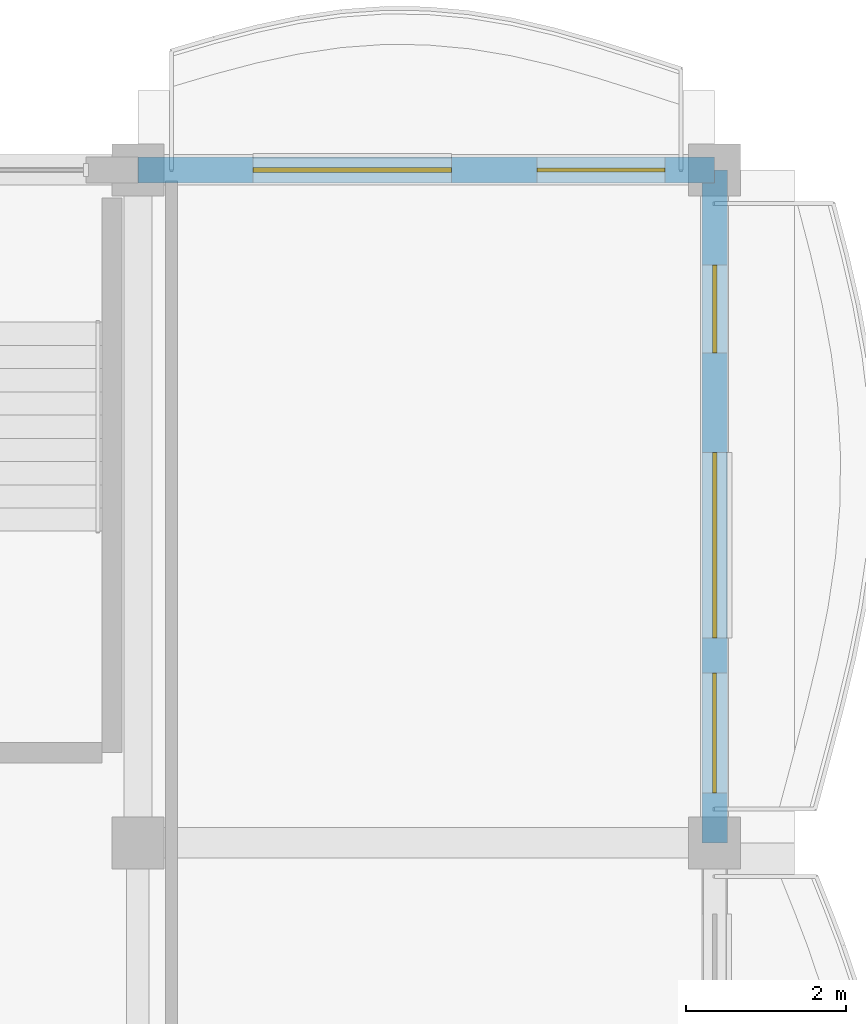
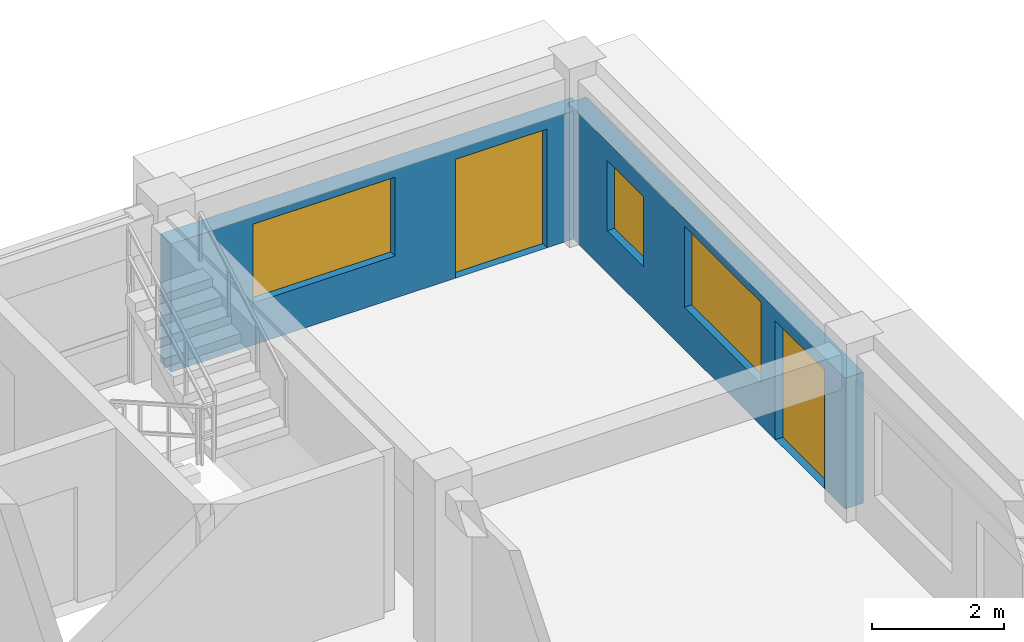
# One storey, part 47 of 76: 3 windows, 2 doors, 2 walls, 5 openings.
"""IFC4 building model written with IfcOpenShell, lengths in metres."""

from ifc_helpers import new_model, si_unit, direction, frame, frame_2d, origin, place, context, subcontext, project, spatial, rectangle, extrude, material, layer, layer_set, type_object, element, fill, save


model = new_model("IFC4")

# Units and contexts
model_context = context("Model", 3, precision=1e-05, world=origin(), true_north=direction((0.0, 1.0)))
body_context = subcontext(model_context, "Body", "Model", "MODEL_VIEW")
ifc_project = project(units=[si_unit("LENGTHUNIT", "METRE"), si_unit("AREAUNIT", "SQUARE_METRE"), si_unit("VOLUMEUNIT", "CUBIC_METRE"), si_unit("PLANEANGLEUNIT", "RADIAN"), si_unit("MASSUNIT", "GRAM", prefix="KILO"), si_unit("THERMODYNAMICTEMPERATUREUNIT", "KELVIN")], contexts=[model_context])

# Site, building, storey
site_placement = place(None, origin())
site = spatial("IfcSite", under=ifc_project, at=site_placement, CompositionType="ELEMENT")
building_placement = place(site_placement, origin())
building = spatial("IfcBuilding", under=site, at=building_placement, Name="Thalorik Housing Commons", CompositionType="ELEMENT")
storey_placement = place(building_placement, frame((0.0, 0.0, 18.0)))
storey = spatial("IfcBuildingStorey", under=building, at=storey_placement, Name="L05", CompositionType="ELEMENT", Elevation=18.0)

# Wall, openings, door, windows
ifc_material_1 = material(Name="White precast concrete C40/50", Category="concrete")
ifc_layer = layer(ifc_material_1, 0.320068359375, Name="White precast concrete C40/50", Category="concrete")
ifc_layer_set = layer_set([ifc_layer], Name="White precast concrete C40/50")
wall_type = type_object("IfcWallType", Name="ARC-WAL-EXT-320", PredefinedType="STANDARD", material=ifc_layer_set)
wall_1_placement = place(storey_placement, frame((174.0, 115.199951171875, 0.0), z_axis=(0.0, 0.0, 1.0), x_axis=(0.0, 1.0, 0.0)))
wall_1 = element("IfcWall", 1, at=wall_1_placement, inside=storey, type_object=wall_type, Name="L05 Exterior Wall WAL-EXT-L05-B-0560", PredefinedType="STANDARD", context=body_context, shape_type="SweptSolid", body=[
    extrude(rectangle(XDim=8.400146484375, YDim=0.320068359375, at=frame_2d((4.2001953125, 0.0))), origin(), (0.0, 0.0, 1.0), 2.425048828125),
])
opening_1_placement = place(wall_1_placement, frame((0.6201171875, 0.0, 0.0)))
opening_1 = element("IfcOpeningElement", 2, at=opening_1_placement, cuts=wall_1, Name="Opening ED-0175", PredefinedType="OPENING", context=body_context, shape_type="SweptSolid", body=[
    extrude(rectangle(XDim=1.5, YDim=2.199951171875, at=frame_2d((0.75, 1.10009765625))), frame((0.0, 0.169921875, 0.0), z_axis=(0.0, -1.0, 0.0), x_axis=(1.0, 0.0, 0.0)), (0.0, 0.0, 1.0), 0.340087890625),
])
opening_2_placement = place(wall_1_placement, frame((2.554931640625, 0.0, 0.780029296875)))
opening_2 = element("IfcOpeningElement", 3, at=opening_2_placement, cuts=wall_1, Name="Opening W-68", PredefinedType="OPENING", context=body_context, shape_type="SweptSolid", body=[
    extrude(rectangle(XDim=2.320068359375, YDim=1.5, at=frame_2d((1.16015625, 0.75))), frame((0.0, 0.169921875, 0.0), z_axis=(0.0, -1.0, 0.0), x_axis=(1.0, 0.0, 0.0)), (0.0, 0.0, 1.0), 0.340087890625),
])
opening_3_placement = place(wall_1_placement, frame((6.114990234375, 0.0, 0.780029296875)))
opening_3 = element("IfcOpeningElement", 4, at=opening_3_placement, cuts=wall_1, Name="Opening W-03", PredefinedType="OPENING", context=body_context, shape_type="SweptSolid", body=[
    extrude(rectangle(XDim=1.10009765625, YDim=1.300048828125, at=frame_2d((0.550048828125, 0.64990234375))), frame((0.0, 0.169921875, 0.0), z_axis=(0.0, -1.0, 0.0), x_axis=(1.0, 0.0, 0.0)), (0.0, 0.0, 1.0), 0.340087890625),
])
ifc_material_2 = material(Name="Anodised aluminium and laminated safety glass", Category="aluminium")
door_type_1 = type_object("IfcDoorType", Name="ARC-DR-BAL-1500", OperationType="NOTDEFINED", PredefinedType="DOOR", material=ifc_material_2)
door_1_placement = place(opening_1_placement, frame((1.5, 0.0, 0.0), z_axis=(0.0, 0.0, 1.0), x_axis=(-1.0, 0.0, 0.0)))
door_1 = element("IfcDoor", 5, at=door_1_placement, inside=storey, type_object=door_type_1, Name="L05 Block B Balcony Glazed Door", OperationType="SLIDING_TO_RIGHT", OverallHeight=2.199951171875, OverallWidth=1.5, PredefinedType="DOOR", context=body_context, shape_type="SweptSolid", body=[
    extrude(rectangle(XDim=1.5, YDim=2.199951171875, at=frame_2d((0.75, 1.10009765625))), frame((0.0, 0.02490234375, 0.0), z_axis=(0.0, -1.0, 0.0), x_axis=(1.0, 0.0, 0.0)), (0.0, 0.0, 1.0), 0.050048828125),
])
fill(opening_1, door_1)
ifc_material_3 = material(Name="Anodised aluminium and solar-control low-E glass", Category="aluminium")
window_type_1 = type_object("IfcWindowType", Name="ARC-WIN-03", PartitioningType="SINGLE_PANEL", PredefinedType="WINDOW", material=ifc_material_3)
window_1_placement = place(opening_3_placement, origin())
window_1 = element("IfcWindow", 6, at=window_1_placement, inside=storey, type_object=window_type_1, Name="L05 Facade Window 1019", OverallHeight=1.300048828125, OverallWidth=1.10009765625, PartitioningType="SINGLE_PANEL", PredefinedType="WINDOW", context=body_context, shape_type="SweptSolid", body=[
    extrude(rectangle(XDim=1.10009765625, YDim=1.300048828125, at=frame_2d((0.550048828125, 0.64990234375))), frame((0.0, 0.030029296875, 0.0), z_axis=(0.0, -1.0, 0.0), x_axis=(1.0, 0.0, 0.0)), (0.0, 0.0, 1.0), 0.06005859375),
])
fill(opening_3, window_1)
window_type_2 = type_object("IfcWindowType", Name="ARC-WIN-68", PartitioningType="DOUBLE_PANEL_VERTICAL", PredefinedType="WINDOW", material=ifc_material_3)
window_2_placement = place(opening_2_placement, origin())
window_2 = element("IfcWindow", 7, at=window_2_placement, inside=storey, type_object=window_type_2, Name="L05 Facade Window 1018", OverallHeight=1.5, OverallWidth=2.320068359375, PartitioningType="DOUBLE_PANEL_VERTICAL", PredefinedType="WINDOW", context=body_context, shape_type="SweptSolid", body=[
    extrude(rectangle(XDim=2.320068359375, YDim=1.5, at=frame_2d((1.16015625, 0.75))), frame((0.0, 0.030029296875, 0.0), z_axis=(0.0, -1.0, 0.0), x_axis=(1.0, 0.0, 0.0)), (0.0, 0.0, 1.0), 0.06005859375),
])
fill(opening_2, window_2)

# Wall, openings, door, window
wall_2_placement = place(storey_placement, frame((174.0, 123.60009765625, 0.0), z_axis=(0.0, 0.0, 1.0), x_axis=(-1.0, 0.0, 0.0)))
wall_2 = element("IfcWall", 8, at=wall_2_placement, inside=storey, type_object=wall_type, Name="L05 Exterior Wall WAL-EXT-L05-B-0561", PredefinedType="STANDARD", context=body_context, shape_type="SweptSolid", body=[
    extrude(rectangle(XDim=7.199951171875, YDim=0.320068359375, at=frame_2d((3.60009765625, 0.0))), origin(), (0.0, 0.0, 1.0), 2.375),
])
opening_4_placement = place(wall_2_placement, frame((0.6201171875, 0.0, 0.0)))
opening_4 = element("IfcOpeningElement", 9, at=opening_4_placement, cuts=wall_2, Name="Opening ED-0176", PredefinedType="OPENING", context=body_context, shape_type="SweptSolid", body=[
    extrude(rectangle(XDim=1.60009765625, YDim=2.199951171875, at=frame_2d((0.800048828125, 1.10009765625))), frame((0.0, 0.169921875, 0.0), z_axis=(0.0, -1.0, 0.0), x_axis=(1.0, 0.0, 0.0)), (0.0, 0.0, 1.0), 0.340087890625),
])
opening_5_placement = place(wall_2_placement, frame((3.284912109375, 0.0, 0.780029296875)))
opening_5 = element("IfcOpeningElement", 10, at=opening_5_placement, cuts=wall_2, Name="Opening W-71", PredefinedType="OPENING", context=body_context, shape_type="SweptSolid", body=[
    extrude(rectangle(XDim=2.47998046875, YDim=1.4599609375, at=frame_2d((1.239990234375, 0.72998046875))), frame((0.0, 0.169921875, 0.0), z_axis=(0.0, -1.0, 0.0), x_axis=(1.0, 0.0, 0.0)), (0.0, 0.0, 1.0), 0.340087890625),
])
door_type_2 = type_object("IfcDoorType", Name="ARC-DR-BAL-1600", OperationType="NOTDEFINED", PredefinedType="DOOR", material=ifc_material_2)
door_2_placement = place(opening_4_placement, frame((1.60009765625, 0.0, 0.0), z_axis=(0.0, 0.0, 1.0), x_axis=(-1.0, 0.0, 0.0)))
door_2 = element("IfcDoor", 11, at=door_2_placement, inside=storey, type_object=door_type_2, Name="L05 Block B Balcony Glazed Door", OperationType="SLIDING_TO_LEFT", OverallHeight=2.199951171875, OverallWidth=1.60009765625, PredefinedType="DOOR", context=body_context, shape_type="SweptSolid", body=[
    extrude(rectangle(XDim=1.60009765625, YDim=2.199951171875, at=frame_2d((0.800048828125, 1.10009765625))), frame((0.0, 0.02490234375, 0.0), z_axis=(0.0, -1.0, 0.0), x_axis=(1.0, 0.0, 0.0)), (0.0, 0.0, 1.0), 0.050048828125),
])
fill(opening_4, door_2)
window_type_3 = type_object("IfcWindowType", Name="ARC-WIN-71", PartitioningType="DOUBLE_PANEL_VERTICAL", PredefinedType="WINDOW", material=ifc_material_3)
window_3_placement = place(opening_5_placement, origin())
window_3 = element("IfcWindow", 12, at=window_3_placement, inside=storey, type_object=window_type_3, Name="L05 Facade Window 1020", OverallHeight=1.4599609375, OverallWidth=2.47998046875, PartitioningType="DOUBLE_PANEL_VERTICAL", PredefinedType="WINDOW", context=body_context, shape_type="SweptSolid", body=[
    extrude(rectangle(XDim=2.47998046875, YDim=1.4599609375, at=frame_2d((1.239990234375, 0.72998046875))), frame((0.0, 0.030029296875, 0.0), z_axis=(0.0, -1.0, 0.0), x_axis=(1.0, 0.0, 0.0)), (0.0, 0.0, 1.0), 0.06005859375),
])
fill(opening_5, window_3)

save(model, "model.ifc")
